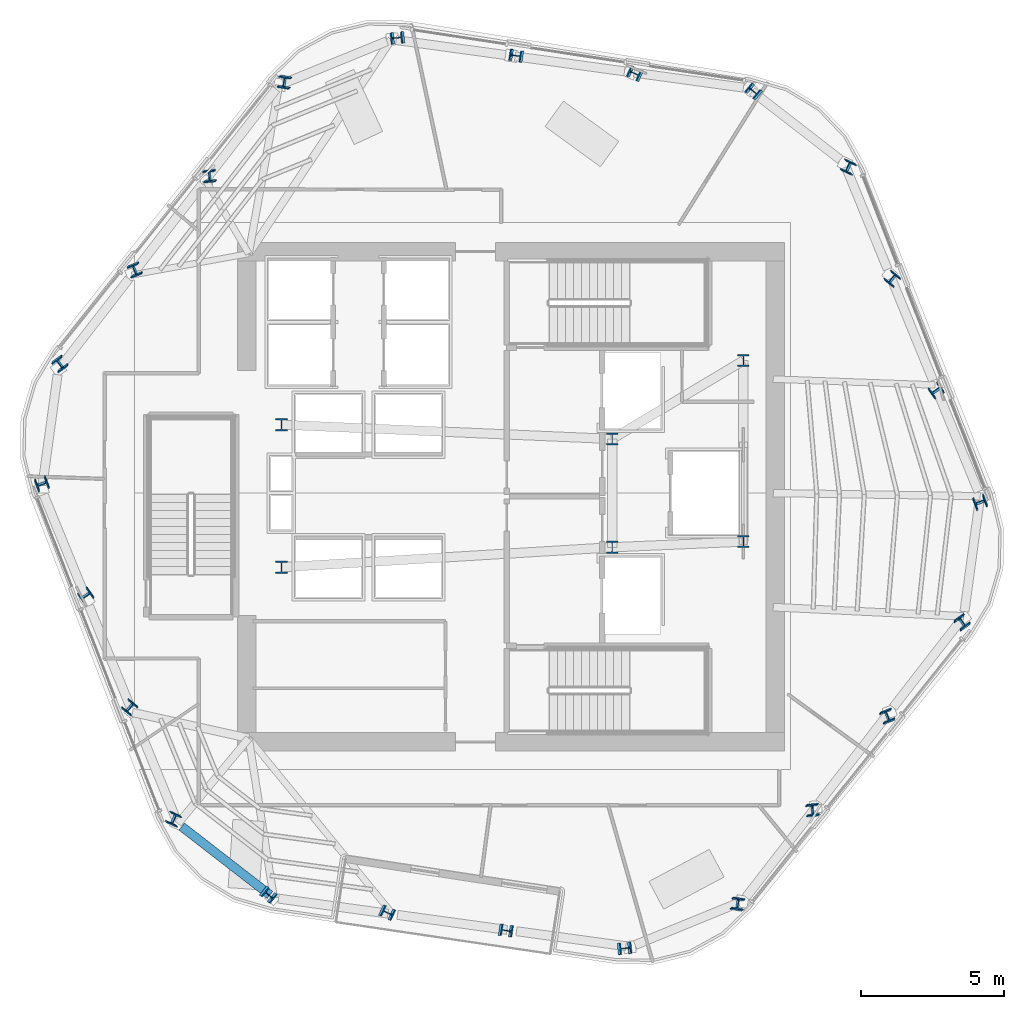
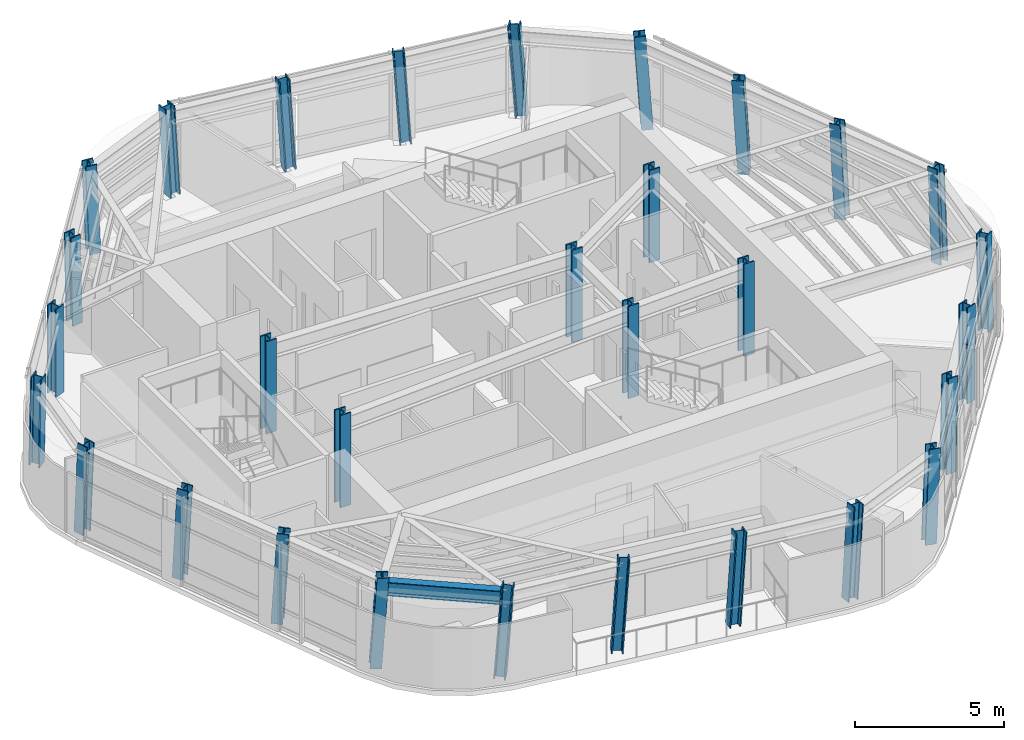
# One storey, part 1 of 12: 30 columns, 1 beam.
"""IFC4 building model written with IfcOpenShell, lengths in metres."""

from ifc_helpers import new_model, si_unit, direction, frame, origin, origin_2d, place, context, subcontext, project, spatial, i_section, extrude, material, material_profile, profile_set, type_object, element, save


model = new_model("IFC4")

# Units and contexts
model_context = context("Model", 3, precision=1e-05, world=origin(), true_north=direction((0.0, 1.0)))
body_context = subcontext(model_context, "Body", "Model", "MODEL_VIEW")
ifc_project = project(units=[si_unit("LENGTHUNIT", "METRE"), si_unit("AREAUNIT", "SQUARE_METRE"), si_unit("VOLUMEUNIT", "CUBIC_METRE"), si_unit("PLANEANGLEUNIT", "RADIAN"), si_unit("MASSUNIT", "GRAM", prefix="KILO")], contexts=[model_context])

# Site, building, storey
site_placement = place(None, origin())
site = spatial("IfcSite", under=ifc_project, at=site_placement, CompositionType="ELEMENT")
building_placement = place(site_placement, origin())
building = spatial("IfcBuilding", under=site, at=building_placement, Name="Valkerne Bourse Tower", CompositionType="ELEMENT")
storey_placement = place(building_placement, frame((0.0, 0.0, 243.60009765625)))
storey = spatial("IfcBuildingStorey", under=building, at=storey_placement, Name="L62", CompositionType="ELEMENT", Elevation=243.60009765625)

# Columns
ifc_material_1 = material(Name="Steel ASTM A913 Grade 65", Category="steel")
ifc_material_profile_1 = material_profile(ifc_material_1, i_section(OverallWidth=0.40380859375, OverallDepth=0.406494140625, WebThickness=0.027099609375, FlangeThickness=0.043701171875, FilletRadius=0.025390625, at=origin_2d()), Name="W14X233")
ifc_profile_set_1 = profile_set([ifc_material_profile_1], Name="Steel ASTM A913 Grade 65")
column_type_1 = type_object("IfcColumnType", Name="COL-W14X233", PredefinedType="COLUMN", material=ifc_profile_set_1)
column_1_placement = place(storey_placement, frame((55.34423828125, 41.068115234375, 0.010009765625), z_axis=(-0.058557688789, 0.034980005514, 0.997670985996), x_axis=(0.636481136219, 0.771223257189, 0.010317500108)))
element("IfcColumn", 1, at=column_1_placement, inside=storey, type_object=column_type_1, Name="L62 Helical Perimeter Tube Column F1-C1", PredefinedType="COLUMN", context=body_context, shape_type="SweptSolid", body=[
    extrude(i_section(OverallWidth=0.40380859375, OverallDepth=0.406494140625, WebThickness=0.027099609375, FlangeThickness=0.043701171875, FilletRadius=0.025390625, at=origin_2d()), origin(), (0.0, 0.0, 1.0), 3.789794921875),
])
for number, where, z_axis, x_axis, name in (
    (2, (51.1806640625, 41.705322265625, 0.010009765625), (-0.061088745347, 0.017656451714, 0.997976159487), (0.41948839599, 0.907709738334, 0.009618553051), "L62 Helical Perimeter Tube Column F1-C2"),
    (3, (47.01708984375, 42.34228515625, 0.010009765625), (-0.063601832096, 0.000451076823, 0.99797525194), (0.15796117752, 0.987398454723, 0.00962070724), "L62 Helical Perimeter Tube Column F1-C3"),
):
    element("IfcColumn", number, at=place(storey_placement, frame(where, z_axis=z_axis, x_axis=x_axis)), inside=storey, type_object=column_type_1, Name=name, PredefinedType="COLUMN", context=body_context, shape_type="SweptSolid", body=[
        extrude(i_section(OverallWidth=0.40380859375, OverallDepth=0.406494140625, WebThickness=0.027099609375, FlangeThickness=0.043701171875, FilletRadius=0.025390625, at=origin_2d()), origin(), (0.0, 0.0, 1.0), 3.78857421875),
    ])
for number, where, z_axis, x_axis, name in (
    (4, (42.853759765625, 42.9794921875, 0.010009765625), (-0.066094790991, -0.016878007056, 0.997670592672), (-0.098357679718, 0.995097632434, 0.010318370266), "L62 Helical Perimeter Tube Column F1-C4"),
    (5, (38.888671875, 41.43359375, 0.010009765625), (-0.059524122898, -0.033240743956, 0.997673259005), (-0.984644855188, 0.166263353387, -0.053207203193), "L62 Helical Perimeter Tube Column F2-C1"),
):
    element("IfcColumn", number, at=place(storey_placement, frame(where, z_axis=z_axis, x_axis=x_axis)), inside=storey, type_object=column_type_1, Name=name, PredefinedType="COLUMN", context=body_context, shape_type="SweptSolid", body=[
        extrude(i_section(OverallWidth=0.40380859375, OverallDepth=0.406494140625, WebThickness=0.027099609375, FlangeThickness=0.043701171875, FilletRadius=0.025390625, at=origin_2d()), origin(), (0.0, 0.0, 1.0), 3.789794921875),
    ])
for number, where, z_axis, x_axis, name in (
    (6, (36.255126953125, 38.146484375, 0.010009765625), (-0.045880901451, -0.044076596338, 0.997974046024), (-0.994821401853, -0.088684701053, -0.049652816791), "L62 Helical Perimeter Tube Column F2-C2"),
    (7, (33.62158203125, 34.859375, 0.010009765625), (-0.03209091466, -0.054902528696, 0.997975894268), (-0.932824471941, -0.356896832711, -0.049630185865), "L62 Helical Perimeter Tube Column F2-C3"),
):
    element("IfcColumn", number, at=place(storey_placement, frame(where, z_axis=z_axis, x_axis=x_axis)), inside=storey, type_object=column_type_1, Name=name, PredefinedType="COLUMN", context=body_context, shape_type="SweptSolid", body=[
        extrude(i_section(OverallWidth=0.40380859375, OverallDepth=0.406494140625, WebThickness=0.027099609375, FlangeThickness=0.043701171875, FilletRadius=0.025390625, at=origin_2d()), origin(), (0.0, 0.0, 1.0), 3.78857421875),
    ])
for number, where, z_axis, x_axis, name in (
    (8, (30.98828125, 31.572021484375, 0.010009765625), (-0.018488526547, -0.065643932234, 0.997671814049), (-0.81291086728, -0.579950997343, -0.053223702796), "L62 Helical Perimeter Tube Column F2-C4"),
    (9, (30.344482421875, 27.365478515625, 0.010009765625), (-0.00096629734, -0.068220592202, 0.997669793604), (0.35005010896, -0.934571650578, -0.063566902972), "L62 Helical Perimeter Tube Column F3-C1"),
):
    element("IfcColumn", number, at=place(storey_placement, frame(where, z_axis=z_axis, x_axis=x_axis)), inside=storey, type_object=column_type_1, Name=name, PredefinedType="COLUMN", context=body_context, shape_type="SweptSolid", body=[
        extrude(i_section(OverallWidth=0.40380859375, OverallDepth=0.406494140625, WebThickness=0.027099609375, FlangeThickness=0.043701171875, FilletRadius=0.025390625, at=origin_2d()), origin(), (0.0, 0.0, 1.0), 3.789794921875),
    ])
for number, where, z_axis, x_axis, name in (
    (10, (31.87451171875, 23.441162109375, 0.010009765625), (0.015207756836, -0.06173318241, 0.997976822537), (0.575112010255, -0.815927261646, -0.059235794607), "L62 Helical Perimeter Tube Column F3-C2"),
    (11, (33.404541015625, 19.516845703125, 0.010009765625), (0.031446492668, -0.055289120305, 0.997975065457), (0.775440330602, -0.62863373281, -0.05926148538), "L62 Helical Perimeter Tube Column F3-C3"),
):
    element("IfcColumn", number, at=place(storey_placement, frame(where, z_axis=z_axis, x_axis=x_axis)), inside=storey, type_object=column_type_1, Name=name, PredefinedType="COLUMN", context=body_context, shape_type="SweptSolid", body=[
        extrude(i_section(OverallWidth=0.40380859375, OverallDepth=0.406494140625, WebThickness=0.027099609375, FlangeThickness=0.043701171875, FilletRadius=0.025390625, at=origin_2d()), origin(), (0.0, 0.0, 1.0), 3.78857421875),
    ])
for number, where, z_axis, x_axis, name in (
    (12, (34.9345703125, 15.592529296875, 0.010009765625), (0.047606499459, -0.048766062369, 0.997675043474), (0.909247245379, -0.411385207181, -0.06349533907), "L62 Helical Perimeter Tube Column F3-C4"),
    (13, (38.255615234375, 12.931884765625, 0.010009765625), (0.058621887429, -0.034979873488, 0.997667220452), (0.636107346521, 0.771531477637, -0.01032582766), "L62 Helical Perimeter Tube Column F4-C1"),
):
    element("IfcColumn", number, at=place(storey_placement, frame(where, z_axis=z_axis, x_axis=x_axis)), inside=storey, type_object=column_type_1, Name=name, PredefinedType="COLUMN", context=body_context, shape_type="SweptSolid", body=[
        extrude(i_section(OverallWidth=0.40380859375, OverallDepth=0.406494140625, WebThickness=0.027099609375, FlangeThickness=0.043701171875, FilletRadius=0.025390625, at=origin_2d()), origin(), (0.0, 0.0, 1.0), 3.789794921875),
    ])
for number, where, z_axis, x_axis, name in (
    (14, (42.419189453125, 12.294677734375, 0.010009765625), (0.061152944095, -0.017656382173, 0.997972228871), (0.419232647316, 0.907827787283, -0.009627879421), "L62 Helical Perimeter Tube Column F4-C2"),
    (15, (46.582763671875, 11.65771484375, 0.010009765625), (0.063601832096, -0.000451076823, 0.99797525194), (0.15796117752, 0.987398454723, -0.00962070724), "L62 Helical Perimeter Tube Column F4-C3"),
):
    element("IfcColumn", number, at=place(storey_placement, frame(where, z_axis=z_axis, x_axis=x_axis)), inside=storey, type_object=column_type_1, Name=name, PredefinedType="COLUMN", context=body_context, shape_type="SweptSolid", body=[
        extrude(i_section(OverallWidth=0.40380859375, OverallDepth=0.406494140625, WebThickness=0.027099609375, FlangeThickness=0.043701171875, FilletRadius=0.025390625, at=origin_2d()), origin(), (0.0, 0.0, 1.0), 3.78857421875),
    ])
for number, where, z_axis, x_axis, name in (
    (16, (50.746337890625, 11.0205078125, 0.010009765625), (0.066094790991, 0.016878007056, 0.997670592672), (-0.098357679718, 0.995097632434, -0.010318370266), "L62 Helical Perimeter Tube Column F4-C4"),
    (17, (54.711181640625, 12.56640625, 0.010009765625), (0.059588314327, 0.033240616425, 0.997669431333), (-0.984565607522, 0.166718044066, 0.05325089922), "L62 Helical Perimeter Tube Column F5-C1"),
):
    element("IfcColumn", number, at=place(storey_placement, frame(where, z_axis=z_axis, x_axis=x_axis)), inside=storey, type_object=column_type_1, Name=name, PredefinedType="COLUMN", context=body_context, shape_type="SweptSolid", body=[
        extrude(i_section(OverallWidth=0.40380859375, OverallDepth=0.406494140625, WebThickness=0.027099609375, FlangeThickness=0.043701171875, FilletRadius=0.025390625, at=origin_2d()), origin(), (0.0, 0.0, 1.0), 3.789794921875),
    ])
for number, where, z_axis, x_axis, name in (
    (18, (57.3447265625, 15.853515625, 0.010009765625), (0.045880901451, 0.044076596338, 0.997974046024), (-0.994821401853, -0.088684701053, 0.049652816791), "L62 Helical Perimeter Tube Column F5-C2"),
    (19, (59.978271484375, 19.140625, 0.010009765625), (0.032155287687, 0.054902415048, 0.997973828462), (-0.93313536349, -0.356079663425, 0.049655480056), "L62 Helical Perimeter Tube Column F5-C3"),
):
    element("IfcColumn", number, at=place(storey_placement, frame(where, z_axis=z_axis, x_axis=x_axis)), inside=storey, type_object=column_type_1, Name=name, PredefinedType="COLUMN", context=body_context, shape_type="SweptSolid", body=[
        extrude(i_section(OverallWidth=0.40380859375, OverallDepth=0.406494140625, WebThickness=0.027099609375, FlangeThickness=0.043701171875, FilletRadius=0.025390625, at=origin_2d()), origin(), (0.0, 0.0, 1.0), 3.78857421875),
    ])
for number, where, z_axis, x_axis, name in (
    (20, (62.61181640625, 22.427978515625, 0.010009765625), (0.018424128499, 0.065644010282, 0.997673000238), (-0.812383338246, -0.580690959793, 0.053210158376), "L62 Helical Perimeter Tube Column F5-C4"),
    (21, (63.255615234375, 26.634521484375, 0.010009765625), (0.00096629734, 0.068220592202, 0.997669793604), (0.35005010896, -0.934571650578, 0.063566902972), "L62 Helical Perimeter Tube Column F6-C1"),
):
    element("IfcColumn", number, at=place(storey_placement, frame(where, z_axis=z_axis, x_axis=x_axis)), inside=storey, type_object=column_type_1, Name=name, PredefinedType="COLUMN", context=body_context, shape_type="SweptSolid", body=[
        extrude(i_section(OverallWidth=0.40380859375, OverallDepth=0.406494140625, WebThickness=0.027099609375, FlangeThickness=0.043701171875, FilletRadius=0.025390625, at=origin_2d()), origin(), (0.0, 0.0, 1.0), 3.789794921875),
    ])
for number, where, z_axis, x_axis, name in (
    (22, (61.7255859375, 30.558837890625, 0.010009765625), (-0.015272181485, 0.061733121785, 0.997975842467), (0.575914286717, -0.81536013941, 0.05925012588), "L62 Helical Perimeter Tube Column F6-C2"),
    (23, (60.195556640625, 34.483154296875, 0.010009765625), (-0.031446492668, 0.055289120305, 0.997975065457), (0.775440330602, -0.62863373281, 0.05926148538), "L62 Helical Perimeter Tube Column F6-C3"),
):
    element("IfcColumn", number, at=place(storey_placement, frame(where, z_axis=z_axis, x_axis=x_axis)), inside=storey, type_object=column_type_1, Name=name, PredefinedType="COLUMN", context=body_context, shape_type="SweptSolid", body=[
        extrude(i_section(OverallWidth=0.40380859375, OverallDepth=0.406494140625, WebThickness=0.027099609375, FlangeThickness=0.043701171875, FilletRadius=0.025390625, at=origin_2d()), origin(), (0.0, 0.0, 1.0), 3.78857421875),
    ])
column_2_placement = place(storey_placement, frame((58.66552734375, 38.407470703125, 0.010009765625), z_axis=(-0.047670773325, 0.048765912712, 0.997671981729), x_axis=(0.909523118454, -0.410768469816, 0.063537085253)))
element("IfcColumn", 24, at=column_2_placement, inside=storey, type_object=column_type_1, Name="L62 Helical Perimeter Tube Column F6-C4", PredefinedType="COLUMN", context=body_context, shape_type="SweptSolid", body=[
    extrude(i_section(OverallWidth=0.40380859375, OverallDepth=0.406494140625, WebThickness=0.027099609375, FlangeThickness=0.043701171875, FilletRadius=0.025390625, at=origin_2d()), origin(), (0.0, 0.0, 1.0), 3.789794921875),
])
ifc_material_profile_2 = material_profile(ifc_material_1, i_section(OverallWidth=0.408935546875, OverallDepth=0.42431640625, WebThickness=0.03271484375, FlangeThickness=0.052490234375, FilletRadius=0.025390625, at=origin_2d()), Name="W14X283")
ifc_profile_set_2 = profile_set([ifc_material_profile_2], Name="Steel ASTM A913 Grade 65")
column_type_2 = type_object("IfcColumnType", Name="COL-W14X283", PredefinedType="COLUMN", material=ifc_profile_set_2)
for number, where, z_axis, x_axis, name in (
    (25, (38.75, 24.39990234375, 0.0048828125), (0.0, 0.0, 1.0), (1.0, 0.0, 0.0), "L62 Core Frame Column CC-SW"),
    (26, (38.75, 29.39990234375, 0.0048828125), (0.0, 0.0, 1.0), (1.0, 0.0, 0.0), "L62 Core Frame Column CC-NW"),
    (27, (50.35009765625, 25.10009765625, 0.0048828125), (0.0, 0.0, 1.0), (1.0, 0.0, 0.0), "L62 Core Frame Column CC-CE1"),
    (28, (50.35009765625, 28.89990234375, 0.0048828125), (0.0, 0.0, 1.0), (1.0, 0.0, 0.0), "L62 Core Frame Column CC-CE2"),
    (29, (54.949951171875, 25.300048828125, 0.0048828125), (0.0, 0.0, 1.0), (1.0, 0.0, 0.0), "L62 Core Frame Column CC-SE"),
    (30, (54.949951171875, 31.64990234375, 0.0048828125), (0.0, 0.0, 1.0), (1.0, 0.0, 0.0), "L62 Core Frame Column CC-NE"),
):
    element("IfcColumn", number, at=place(storey_placement, frame(where, z_axis=z_axis, x_axis=x_axis)), inside=storey, type_object=column_type_2, Name=name, PredefinedType="COLUMN", context=body_context, shape_type="SweptSolid", body=[
        extrude(i_section(OverallWidth=0.408935546875, OverallDepth=0.42431640625, WebThickness=0.03271484375, FlangeThickness=0.052490234375, FilletRadius=0.025390625, at=origin_2d()), origin(), (0.0, 0.0, 1.0), 3.794921875),
    ])

# Beam
ifc_material_2 = material(Name="Steel ASTM A992", Category="steel")
ifc_material_profile_3 = material_profile(ifc_material_2, i_section(OverallWidth=0.31494140625, OverallDepth=0.5537109375, WebThickness=0.0166015625, FlangeThickness=0.026123046875, FilletRadius=0.020263671875, at=origin_2d()), Name="W21X132")
ifc_profile_set_3 = profile_set([ifc_material_profile_3], Name="Steel ASTM A992")
beam_type = type_object("IfcBeamType", Name="BM-W21X132", PredefinedType="BEAM", material=ifc_profile_set_3)
beam_placement = place(storey_placement, frame((35.24951171875, 15.303466796875, 3.322998046875), z_axis=(0.790160642106, -0.612899795779, 0.0), x_axis=(0.612899795779, 0.790160642106, 0.0)))
element("IfcBeam", 31, at=beam_placement, inside=storey, type_object=beam_type, Name="L62 Hexagonal Spandrel Ring Beam 11", PredefinedType="BEAM", context=body_context, shape_type="SweptSolid", body=[
    extrude(i_section(OverallWidth=0.31494140625, OverallDepth=0.5537109375, WebThickness=0.0166015625, FlangeThickness=0.026123046875, FilletRadius=0.020263671875, at=origin_2d()), origin(), (0.0, 0.0, 1.0), 3.915771484375),
])

save(model, "model.ifc")
